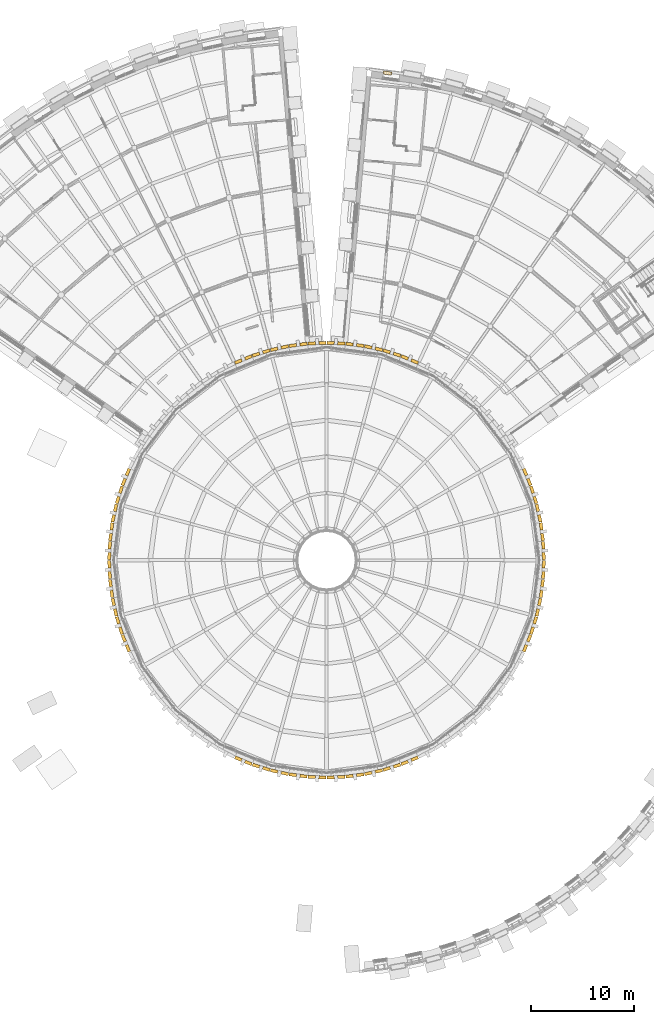
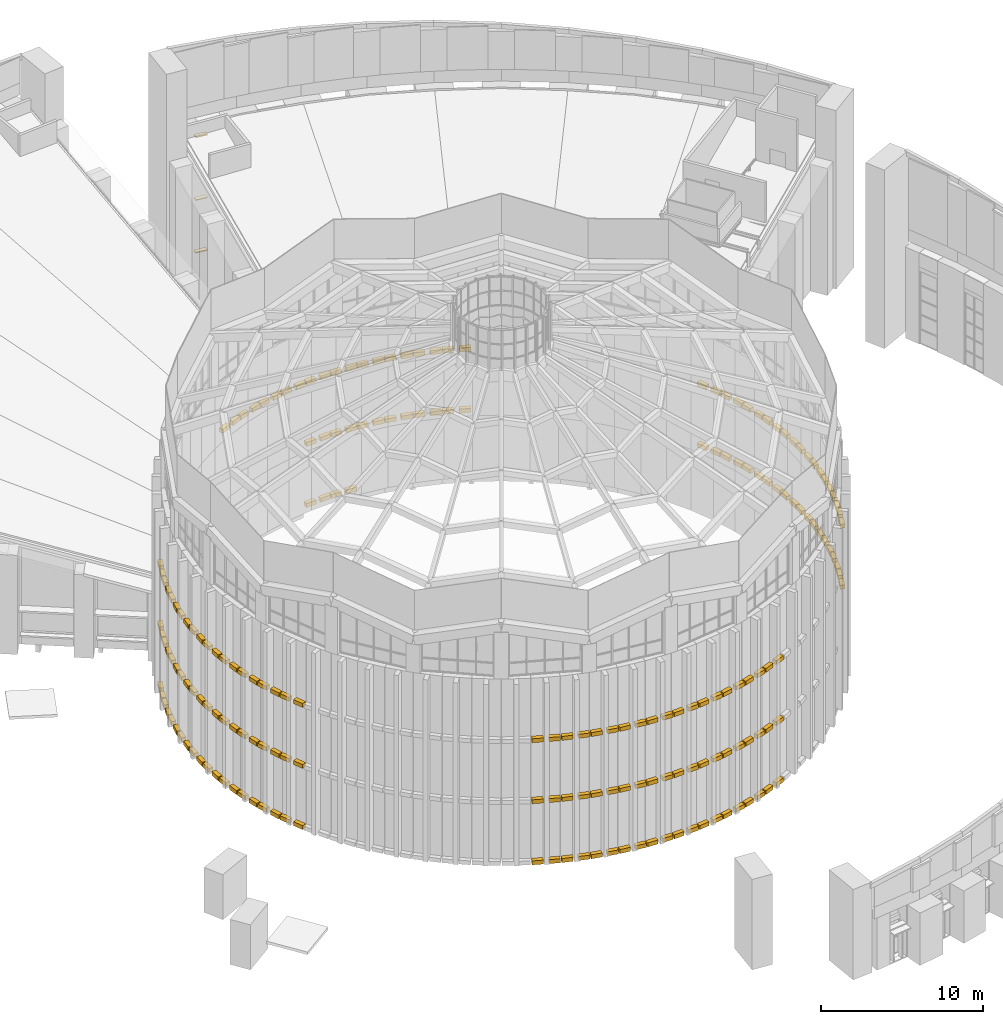
# One storey, part 82 of 82: 199 coverings.
"""IFC4 building model written with IfcOpenShell, lengths in metres."""

from ifc_helpers import new_model, si_unit, direction, frame, origin, origin_2d, place, context, subcontext, project, spatial, rectangle, extrude, material, type_object, element, save


model = new_model("IFC4")

# Units and contexts
model_context = context("Model", 3, precision=1e-05, world=origin(), true_north=direction((0.0, 1.0)))
body_context = subcontext(model_context, "Body", "Model", "MODEL_VIEW")
ifc_project = project(units=[si_unit("LENGTHUNIT", "METRE"), si_unit("AREAUNIT", "SQUARE_METRE"), si_unit("VOLUMEUNIT", "CUBIC_METRE"), si_unit("PLANEANGLEUNIT", "RADIAN"), si_unit("MASSUNIT", "GRAM", prefix="KILO")], contexts=[model_context])

# Site, building, storey
site_placement = place(None, origin())
site = spatial("IfcSite", under=ifc_project, at=site_placement, CompositionType="ELEMENT")
building_placement = place(site_placement, origin())
building = spatial("IfcBuilding", under=site, at=building_placement, Name="Volute Hill Aquarium", CompositionType="ELEMENT")
storey_placement = place(building_placement, frame((0.0, 0.0, 13.800048828125)))
storey = spatial("IfcBuildingStorey", under=building, at=storey_placement, Name="L04", CompositionType="ELEMENT", Elevation=13.800048828125)

# Coverings
ifc_material_1 = material(Name="Precast concrete C40/50", Category="concrete")
covering_type_1 = type_object("IfcCoveringType", Name="Drum string course precast concrete C40/50 715x300", PredefinedType="CLADDING", material=ifc_material_1)
for number, where, z_axis, x_axis, name in (
    (1, (21.13330078125, 0.394775390625, 4.44970703125), (0.0, 0.0, 1.0), (-0.043619387365, 0.999048221582, 0.0), "Drum string course DSC 1.2"),
    (2, (21.087158203125, 1.44873046875, 4.44970703125), (0.0, 0.0, 1.0), (-0.043619387365, 0.999048221582, 0.0), "Drum string course DSC 1.2"),
    (3, (21.13330078125, 0.394775390625, 9.0498046875), (0.0, 0.0, 1.0), (-0.043619387365, 0.999048221582, 0.0), "Drum string course DSC 1.3"),
    (4, (21.087158203125, 1.44873046875, 9.0498046875), (0.0, 0.0, 1.0), (-0.043619387365, 0.999048221582, 0.0), "Drum string course DSC 1.3"),
    (5, (21.018310546875, 2.235107421875, 4.44970703125), (0.0, 0.0, 1.0), (-0.13052619222, 0.991444861374, 0.0), "Drum string course DSC 2.2"),
    (6, (20.880615234375, 3.281005859375, 4.44970703125), (0.0, 0.0, 1.0), (-0.13052619222, 0.991444861374, 0.0), "Drum string course DSC 2.2"),
    (7, (21.018310546875, 2.235107421875, 9.0498046875), (0.0, 0.0, 1.0), (-0.13052619222, 0.991444861374, 0.0), "Drum string course DSC 2.3"),
    (8, (20.880615234375, 3.281005859375, 9.0498046875), (0.0, 0.0, 1.0), (-0.13052619222, 0.991444861374, 0.0), "Drum string course DSC 2.3"),
    (9, (20.74365234375, 4.058349609375, 4.44970703125), (0.0, 0.0, 1.0), (-0.216439613938, 0.97629600712, 0.0), "Drum string course DSC 3.2"),
    (10, (20.51513671875, 5.08837890625, 4.44970703125), (0.0, 0.0, 1.0), (-0.216439613938, 0.97629600712, 0.0), "Drum string course DSC 3.2"),
    (11, (20.74365234375, 4.058349609375, 9.0498046875), (0.0, 0.0, 1.0), (-0.216439613938, 0.97629600712, 0.0), "Drum string course DSC 3.3"),
    (12, (20.51513671875, 5.08837890625, 9.0498046875), (0.0, 0.0, 1.0), (-0.216439613938, 0.97629600712, 0.0), "Drum string course DSC 3.3"),
    (13, (20.310791015625, 5.85107421875, 4.44970703125), (0.0, 0.0, 1.0), (-0.300705799504, 0.953716950748, 0.0), "Drum string course DSC 4.2"),
    (14, (19.99365234375, 6.85693359375, 4.44970703125), (0.0, 0.0, 1.0), (-0.300705799504, 0.953716950748, 0.0), "Drum string course DSC 4.2"),
    (15, (20.310791015625, 5.85107421875, 9.0498046875), (0.0, 0.0, 1.0), (-0.300705799504, 0.953716950748, 0.0), "Drum string course DSC 4.3"),
    (16, (19.99365234375, 6.85693359375, 9.0498046875), (0.0, 0.0, 1.0), (-0.300705799504, 0.953716950748, 0.0), "Drum string course DSC 4.3"),
    (17, (19.7236328125, 7.598876953125, 4.44970703125), (0.0, 0.0, 1.0), (-0.382683432365, 0.923879532511, 0.0), "Drum string course DSC 5.2"),
    (18, (19.320068359375, 8.573486328125, 4.44970703125), (0.0, 0.0, 1.0), (-0.382683432365, 0.923879532511, 0.0), "Drum string course DSC 5.2"),
    (19, (19.7236328125, 7.598876953125, 9.0498046875), (0.0, 0.0, 1.0), (-0.382683432365, 0.923879532511, 0.0), "Drum string course DSC 5.3"),
    (20, (19.320068359375, 8.573486328125, 9.0498046875), (0.0, 0.0, 1.0), (-0.382683432365, 0.923879532511, 0.0), "Drum string course DSC 5.3"),
    (21, (8.573486328125, 19.320068359375, 4.44970703125), (0.0, 0.0, 1.0), (-0.923879532511, 0.382683432365, 0.0), "Drum string course DSC 14.2"),
    (22, (7.598876953125, 19.7236328125, 4.44970703125), (0.0, 0.0, 1.0), (-0.923879532511, 0.382683432365, 0.0), "Drum string course DSC 14.2"),
    (23, (8.573486328125, 19.320068359375, 9.0498046875), (0.0, 0.0, 1.0), (-0.923879532511, 0.382683432365, 0.0), "Drum string course DSC 14.3"),
    (24, (7.598876953125, 19.7236328125, 9.0498046875), (0.0, 0.0, 1.0), (-0.923879532511, 0.382683432365, 0.0), "Drum string course DSC 14.3"),
    (25, (6.85693359375, 19.99365234375, 4.44970703125), (0.0, 0.0, 1.0), (-0.953716950748, 0.300705799504, 0.0), "Drum string course DSC 15.2"),
    (26, (5.85107421875, 20.310791015625, 4.44970703125), (0.0, 0.0, 1.0), (-0.953716950748, 0.300705799504, 0.0), "Drum string course DSC 15.2"),
    (27, (6.85693359375, 19.99365234375, 9.0498046875), (0.0, 0.0, 1.0), (-0.953716950748, 0.300705799504, 0.0), "Drum string course DSC 15.3"),
    (28, (5.85107421875, 20.310791015625, 9.0498046875), (0.0, 0.0, 1.0), (-0.953716950748, 0.300705799504, 0.0), "Drum string course DSC 15.3"),
    (29, (5.08837890625, 20.51513671875, 4.44970703125), (0.0, 0.0, 1.0), (-0.97629600712, 0.216439613938, 0.0), "Drum string course DSC 16.2"),
    (30, (4.058349609375, 20.74365234375, 4.44970703125), (0.0, 0.0, 1.0), (-0.97629600712, 0.216439613938, 0.0), "Drum string course DSC 16.2"),
    (31, (5.08837890625, 20.51513671875, 9.0498046875), (0.0, 0.0, 1.0), (-0.97629600712, 0.216439613938, 0.0), "Drum string course DSC 16.3"),
    (32, (4.058349609375, 20.74365234375, 9.0498046875), (0.0, 0.0, 1.0), (-0.97629600712, 0.216439613938, 0.0), "Drum string course DSC 16.3"),
    (33, (3.281005859375, 20.880615234375, 4.44970703125), (0.0, 0.0, 1.0), (-0.991444861374, 0.13052619222, 0.0), "Drum string course DSC 17.2"),
    (34, (2.235107421875, 21.018310546875, 4.44970703125), (0.0, 0.0, 1.0), (-0.991444861374, 0.13052619222, 0.0), "Drum string course DSC 17.2"),
    (35, (3.281005859375, 20.880615234375, 9.0498046875), (0.0, 0.0, 1.0), (-0.991444861374, 0.13052619222, 0.0), "Drum string course DSC 17.3"),
    (36, (2.235107421875, 21.018310546875, 9.0498046875), (0.0, 0.0, 1.0), (-0.991444861374, 0.13052619222, 0.0), "Drum string course DSC 17.3"),
    (37, (1.44873046875, 21.087158203125, -0.14990234375), (0.0, 0.0, 1.0), (-0.999048221582, 0.043619387365, 0.0), "Drum string course DSC 18.1"),
    (38, (0.394775390625, 21.13330078125, -0.14990234375), (0.0, 0.0, 1.0), (-0.999048221582, 0.043619387365, 0.0), "Drum string course DSC 18.1"),
    (39, (1.44873046875, 21.087158203125, 4.44970703125), (0.0, 0.0, 1.0), (-0.999048221582, 0.043619387365, 0.0), "Drum string course DSC 18.2"),
    (40, (0.394775390625, 21.13330078125, 4.44970703125), (0.0, 0.0, 1.0), (-0.999048221582, 0.043619387365, 0.0), "Drum string course DSC 18.2"),
    (41, (1.44873046875, 21.087158203125, 9.0498046875), (0.0, 0.0, 1.0), (-0.999048221582, 0.043619387365, 0.0), "Drum string course DSC 18.3"),
    (42, (0.394775390625, 21.13330078125, 9.0498046875), (0.0, 0.0, 1.0), (-0.999048221582, 0.043619387365, 0.0), "Drum string course DSC 18.3"),
    (43, (-0.394775390625, 21.13330078125, -0.14990234375), (0.0, 0.0, 1.0), (-0.999048221582, -0.043619387365, 0.0), "Drum string course DSC 19.1"),
    (44, (-1.44873046875, 21.087158203125, -0.14990234375), (0.0, 0.0, 1.0), (-0.999048221582, -0.043619387365, 0.0), "Drum string course DSC 19.1"),
    (45, (-0.394775390625, 21.13330078125, 4.44970703125), (0.0, 0.0, 1.0), (-0.999048221582, -0.043619387365, 0.0), "Drum string course DSC 19.2"),
    (46, (-1.44873046875, 21.087158203125, 4.44970703125), (0.0, 0.0, 1.0), (-0.999048221582, -0.043619387365, 0.0), "Drum string course DSC 19.2"),
    (47, (-0.394775390625, 21.13330078125, 9.0498046875), (0.0, 0.0, 1.0), (-0.999048221582, -0.043619387365, 0.0), "Drum string course DSC 19.3"),
    (48, (-1.44873046875, 21.087158203125, 9.0498046875), (0.0, 0.0, 1.0), (-0.999048221582, -0.043619387365, 0.0), "Drum string course DSC 19.3"),
    (49, (-2.235107421875, 21.018310546875, 9.0498046875), (0.0, 0.0, 1.0), (-0.991444861374, -0.13052619222, 0.0), "Drum string course DSC 20.3"),
    (50, (-3.281005859375, 20.880615234375, 9.0498046875), (0.0, 0.0, 1.0), (-0.991444861374, -0.13052619222, 0.0), "Drum string course DSC 20.3"),
    (51, (-4.058349609375, 20.74365234375, 9.0498046875), (0.0, 0.0, 1.0), (-0.97629600712, -0.216439613938, 0.0), "Drum string course DSC 21.3"),
    (52, (-5.08837890625, 20.51513671875, 9.0498046875), (0.0, 0.0, 1.0), (-0.97629600712, -0.216439613938, 0.0), "Drum string course DSC 21.3"),
    (53, (-5.85107421875, 20.310791015625, 9.0498046875), (0.0, 0.0, 1.0), (-0.953716950748, -0.300705799504, 0.0), "Drum string course DSC 22.3"),
    (54, (-6.85693359375, 19.99365234375, 9.0498046875), (0.0, 0.0, 1.0), (-0.953716950748, -0.300705799504, 0.0), "Drum string course DSC 22.3"),
    (55, (-7.598876953125, 19.7236328125, 9.0498046875), (0.0, 0.0, 1.0), (-0.923879532511, -0.382683432365, 0.0), "Drum string course DSC 23.3"),
    (56, (-8.573486328125, 19.320068359375, 9.0498046875), (0.0, 0.0, 1.0), (-0.923879532511, -0.382683432365, 0.0), "Drum string course DSC 23.3"),
    (57, (-19.320068359375, 8.573486328125, -0.14990234375), (0.0, 0.0, 1.0), (-0.382683432365, -0.923879532511, 0.0), "Drum string course DSC 32.1"),
    (58, (-19.7236328125, 7.598876953125, -0.14990234375), (0.0, 0.0, 1.0), (-0.382683432365, -0.923879532511, 0.0), "Drum string course DSC 32.1"),
    (59, (-19.320068359375, 8.573486328125, 4.44970703125), (0.0, 0.0, 1.0), (-0.382683432365, -0.923879532511, 0.0), "Drum string course DSC 32.2"),
    (60, (-19.7236328125, 7.598876953125, 4.44970703125), (0.0, 0.0, 1.0), (-0.382683432365, -0.923879532511, 0.0), "Drum string course DSC 32.2"),
    (61, (-19.320068359375, 8.573486328125, 9.0498046875), (0.0, 0.0, 1.0), (-0.382683432365, -0.923879532511, 0.0), "Drum string course DSC 32.3"),
    (62, (-19.7236328125, 7.598876953125, 9.0498046875), (0.0, 0.0, 1.0), (-0.382683432365, -0.923879532511, 0.0), "Drum string course DSC 32.3"),
    (63, (-19.99365234375, 6.85693359375, -0.14990234375), (0.0, 0.0, 1.0), (-0.300705799504, -0.953716950748, 0.0), "Drum string course DSC 33.1"),
    (64, (-20.310791015625, 5.85107421875, -0.14990234375), (0.0, 0.0, 1.0), (-0.300705799504, -0.953716950748, 0.0), "Drum string course DSC 33.1"),
    (65, (-19.99365234375, 6.85693359375, 4.44970703125), (0.0, 0.0, 1.0), (-0.300705799504, -0.953716950748, 0.0), "Drum string course DSC 33.2"),
    (66, (-20.310791015625, 5.85107421875, 4.44970703125), (0.0, 0.0, 1.0), (-0.300705799504, -0.953716950748, 0.0), "Drum string course DSC 33.2"),
    (67, (-19.99365234375, 6.85693359375, 9.0498046875), (0.0, 0.0, 1.0), (-0.300705799504, -0.953716950748, 0.0), "Drum string course DSC 33.3"),
    (68, (-20.310791015625, 5.85107421875, 9.0498046875), (0.0, 0.0, 1.0), (-0.300705799504, -0.953716950748, 0.0), "Drum string course DSC 33.3"),
    (69, (-20.51513671875, 5.08837890625, -0.14990234375), (0.0, 0.0, 1.0), (-0.216439613938, -0.97629600712, 0.0), "Drum string course DSC 34.1"),
    (70, (-20.74365234375, 4.058349609375, -0.14990234375), (0.0, 0.0, 1.0), (-0.216439613938, -0.97629600712, 0.0), "Drum string course DSC 34.1"),
    (71, (-20.51513671875, 5.08837890625, 4.44970703125), (0.0, 0.0, 1.0), (-0.216439613938, -0.97629600712, 0.0), "Drum string course DSC 34.2"),
    (72, (-20.74365234375, 4.058349609375, 4.44970703125), (0.0, 0.0, 1.0), (-0.216439613938, -0.97629600712, 0.0), "Drum string course DSC 34.2"),
    (73, (-20.51513671875, 5.08837890625, 9.0498046875), (0.0, 0.0, 1.0), (-0.216439613938, -0.97629600712, 0.0), "Drum string course DSC 34.3"),
    (74, (-20.74365234375, 4.058349609375, 9.0498046875), (0.0, 0.0, 1.0), (-0.216439613938, -0.97629600712, 0.0), "Drum string course DSC 34.3"),
    (75, (-20.880615234375, 3.281005859375, -0.14990234375), (0.0, 0.0, 1.0), (-0.13052619222, -0.991444861374, 0.0), "Drum string course DSC 35.1"),
    (76, (-21.018310546875, 2.235107421875, -0.14990234375), (0.0, 0.0, 1.0), (-0.13052619222, -0.991444861374, 0.0), "Drum string course DSC 35.1"),
    (77, (-20.880615234375, 3.281005859375, 4.44970703125), (0.0, 0.0, 1.0), (-0.13052619222, -0.991444861374, 0.0), "Drum string course DSC 35.2"),
    (78, (-21.018310546875, 2.235107421875, 4.44970703125), (0.0, 0.0, 1.0), (-0.13052619222, -0.991444861374, 0.0), "Drum string course DSC 35.2"),
    (79, (-20.880615234375, 3.281005859375, 9.0498046875), (0.0, 0.0, 1.0), (-0.13052619222, -0.991444861374, 0.0), "Drum string course DSC 35.3"),
    (80, (-21.018310546875, 2.235107421875, 9.0498046875), (0.0, 0.0, 1.0), (-0.13052619222, -0.991444861374, 0.0), "Drum string course DSC 35.3"),
    (81, (-21.087158203125, 1.44873046875, -0.14990234375), (0.0, 0.0, 1.0), (-0.043619387365, -0.999048221582, 0.0), "Drum string course DSC 36.1"),
    (82, (-21.13330078125, 0.394775390625, -0.14990234375), (0.0, 0.0, 1.0), (-0.043619387365, -0.999048221582, 0.0), "Drum string course DSC 36.1"),
    (83, (-21.087158203125, 1.44873046875, 4.44970703125), (0.0, 0.0, 1.0), (-0.043619387365, -0.999048221582, 0.0), "Drum string course DSC 36.2"),
    (84, (-21.13330078125, 0.394775390625, 4.44970703125), (0.0, 0.0, 1.0), (-0.043619387365, -0.999048221582, 0.0), "Drum string course DSC 36.2"),
    (85, (-21.087158203125, 1.44873046875, 9.0498046875), (0.0, 0.0, 1.0), (-0.043619387365, -0.999048221582, 0.0), "Drum string course DSC 36.3"),
    (86, (-21.13330078125, 0.394775390625, 9.0498046875), (0.0, 0.0, 1.0), (-0.043619387365, -0.999048221582, 0.0), "Drum string course DSC 36.3"),
    (87, (-21.13330078125, -0.394775390625, -0.14990234375), (0.0, 0.0, 1.0), (0.043619387365, -0.999048221582, 0.0), "Drum string course DSC 37.1"),
    (88, (-21.087158203125, -1.44873046875, -0.14990234375), (0.0, 0.0, 1.0), (0.043619387365, -0.999048221582, 0.0), "Drum string course DSC 37.1"),
    (89, (-21.13330078125, -0.394775390625, 4.44970703125), (0.0, 0.0, 1.0), (0.043619387365, -0.999048221582, 0.0), "Drum string course DSC 37.2"),
    (90, (-21.087158203125, -1.44873046875, 4.44970703125), (0.0, 0.0, 1.0), (0.043619387365, -0.999048221582, 0.0), "Drum string course DSC 37.2"),
    (91, (-21.13330078125, -0.394775390625, 9.0498046875), (0.0, 0.0, 1.0), (0.043619387365, -0.999048221582, 0.0), "Drum string course DSC 37.3"),
    (92, (-21.087158203125, -1.44873046875, 9.0498046875), (0.0, 0.0, 1.0), (0.043619387365, -0.999048221582, 0.0), "Drum string course DSC 37.3"),
    (93, (-21.018310546875, -2.235107421875, -0.14990234375), (0.0, 0.0, 1.0), (0.13052619222, -0.991444861374, 0.0), "Drum string course DSC 38.1"),
    (94, (-20.880615234375, -3.281005859375, -0.14990234375), (0.0, 0.0, 1.0), (0.13052619222, -0.991444861374, 0.0), "Drum string course DSC 38.1"),
    (95, (-21.018310546875, -2.235107421875, 4.44970703125), (0.0, 0.0, 1.0), (0.13052619222, -0.991444861374, 0.0), "Drum string course DSC 38.2"),
    (96, (-20.880615234375, -3.281005859375, 4.44970703125), (0.0, 0.0, 1.0), (0.13052619222, -0.991444861374, 0.0), "Drum string course DSC 38.2"),
    (97, (-21.018310546875, -2.235107421875, 9.0498046875), (0.0, 0.0, 1.0), (0.13052619222, -0.991444861374, 0.0), "Drum string course DSC 38.3"),
    (98, (-20.880615234375, -3.281005859375, 9.0498046875), (0.0, 0.0, 1.0), (0.13052619222, -0.991444861374, 0.0), "Drum string course DSC 38.3"),
    (99, (-20.74365234375, -4.058349609375, -0.14990234375), (0.0, 0.0, 1.0), (0.216439613938, -0.97629600712, 0.0), "Drum string course DSC 39.1"),
    (100, (-20.51513671875, -5.08837890625, -0.14990234375), (0.0, 0.0, 1.0), (0.216439613938, -0.97629600712, 0.0), "Drum string course DSC 39.1"),
    (101, (-20.74365234375, -4.058349609375, 4.44970703125), (0.0, 0.0, 1.0), (0.216439613938, -0.97629600712, 0.0), "Drum string course DSC 39.2"),
    (102, (-20.51513671875, -5.08837890625, 4.44970703125), (0.0, 0.0, 1.0), (0.216439613938, -0.97629600712, 0.0), "Drum string course DSC 39.2"),
    (103, (-20.74365234375, -4.058349609375, 9.0498046875), (0.0, 0.0, 1.0), (0.216439613938, -0.97629600712, 0.0), "Drum string course DSC 39.3"),
    (104, (-20.51513671875, -5.08837890625, 9.0498046875), (0.0, 0.0, 1.0), (0.216439613938, -0.97629600712, 0.0), "Drum string course DSC 39.3"),
    (105, (-20.310791015625, -5.85107421875, -0.14990234375), (0.0, 0.0, 1.0), (0.300705799504, -0.953716950748, 0.0), "Drum string course DSC 40.1"),
    (106, (-19.99365234375, -6.85693359375, -0.14990234375), (0.0, 0.0, 1.0), (0.300705799504, -0.953716950748, 0.0), "Drum string course DSC 40.1"),
    (107, (-20.310791015625, -5.85107421875, 4.44970703125), (0.0, 0.0, 1.0), (0.300705799504, -0.953716950748, 0.0), "Drum string course DSC 40.2"),
    (108, (-19.99365234375, -6.85693359375, 4.44970703125), (0.0, 0.0, 1.0), (0.300705799504, -0.953716950748, 0.0), "Drum string course DSC 40.2"),
    (109, (-20.310791015625, -5.85107421875, 9.0498046875), (0.0, 0.0, 1.0), (0.300705799504, -0.953716950748, 0.0), "Drum string course DSC 40.3"),
    (110, (-19.99365234375, -6.85693359375, 9.0498046875), (0.0, 0.0, 1.0), (0.300705799504, -0.953716950748, 0.0), "Drum string course DSC 40.3"),
    (111, (-19.7236328125, -7.598876953125, -0.14990234375), (0.0, 0.0, 1.0), (0.382683432365, -0.923879532511, 0.0), "Drum string course DSC 41.1"),
    (112, (-19.320068359375, -8.573486328125, -0.14990234375), (0.0, 0.0, 1.0), (0.382683432365, -0.923879532511, 0.0), "Drum string course DSC 41.1"),
    (113, (-19.7236328125, -7.598876953125, 4.44970703125), (0.0, 0.0, 1.0), (0.382683432365, -0.923879532511, 0.0), "Drum string course DSC 41.2"),
    (114, (-19.320068359375, -8.573486328125, 4.44970703125), (0.0, 0.0, 1.0), (0.382683432365, -0.923879532511, 0.0), "Drum string course DSC 41.2"),
    (115, (-19.7236328125, -7.598876953125, 9.0498046875), (0.0, 0.0, 1.0), (0.382683432365, -0.923879532511, 0.0), "Drum string course DSC 41.3"),
    (116, (-19.320068359375, -8.573486328125, 9.0498046875), (0.0, 0.0, 1.0), (0.382683432365, -0.923879532511, 0.0), "Drum string course DSC 41.3"),
    (117, (-8.573486328125, -19.320068359375, -0.14990234375), (0.0, 0.0, 1.0), (0.923879532511, -0.382683432365, 0.0), "Drum string course DSC 50.1"),
    (118, (-7.598876953125, -19.7236328125, -0.14990234375), (0.0, 0.0, 1.0), (0.923879532511, -0.382683432365, 0.0), "Drum string course DSC 50.1"),
    (119, (-8.573486328125, -19.320068359375, 4.44970703125), (0.0, 0.0, 1.0), (0.923879532511, -0.382683432365, 0.0), "Drum string course DSC 50.2"),
    (120, (-7.598876953125, -19.7236328125, 4.44970703125), (0.0, 0.0, 1.0), (0.923879532511, -0.382683432365, 0.0), "Drum string course DSC 50.2"),
    (121, (-8.573486328125, -19.320068359375, 9.0498046875), (0.0, 0.0, 1.0), (0.923879532511, -0.382683432365, 0.0), "Drum string course DSC 50.3"),
    (122, (-7.598876953125, -19.7236328125, 9.0498046875), (0.0, 0.0, 1.0), (0.923879532511, -0.382683432365, 0.0), "Drum string course DSC 50.3"),
    (123, (-6.85693359375, -19.99365234375, -0.14990234375), (0.0, 0.0, 1.0), (0.953716950748, -0.300705799504, 0.0), "Drum string course DSC 51.1"),
    (124, (-5.85107421875, -20.310791015625, -0.14990234375), (0.0, 0.0, 1.0), (0.953716950748, -0.300705799504, 0.0), "Drum string course DSC 51.1"),
    (125, (-6.85693359375, -19.99365234375, 4.44970703125), (0.0, 0.0, 1.0), (0.953716950748, -0.300705799504, 0.0), "Drum string course DSC 51.2"),
    (126, (-5.85107421875, -20.310791015625, 4.44970703125), (0.0, 0.0, 1.0), (0.953716950748, -0.300705799504, 0.0), "Drum string course DSC 51.2"),
    (127, (-6.85693359375, -19.99365234375, 9.0498046875), (0.0, 0.0, 1.0), (0.953716950748, -0.300705799504, 0.0), "Drum string course DSC 51.3"),
    (128, (-5.85107421875, -20.310791015625, 9.0498046875), (0.0, 0.0, 1.0), (0.953716950748, -0.300705799504, 0.0), "Drum string course DSC 51.3"),
    (129, (-5.08837890625, -20.51513671875, -0.14990234375), (0.0, 0.0, 1.0), (0.97629600712, -0.216439613938, 0.0), "Drum string course DSC 52.1"),
    (130, (-4.058349609375, -20.74365234375, -0.14990234375), (0.0, 0.0, 1.0), (0.97629600712, -0.216439613938, 0.0), "Drum string course DSC 52.1"),
    (131, (-5.08837890625, -20.51513671875, 4.44970703125), (0.0, 0.0, 1.0), (0.97629600712, -0.216439613938, 0.0), "Drum string course DSC 52.2"),
    (132, (-4.058349609375, -20.74365234375, 4.44970703125), (0.0, 0.0, 1.0), (0.97629600712, -0.216439613938, 0.0), "Drum string course DSC 52.2"),
    (133, (-5.08837890625, -20.51513671875, 9.0498046875), (0.0, 0.0, 1.0), (0.97629600712, -0.216439613938, 0.0), "Drum string course DSC 52.3"),
    (134, (-4.058349609375, -20.74365234375, 9.0498046875), (0.0, 0.0, 1.0), (0.97629600712, -0.216439613938, 0.0), "Drum string course DSC 52.3"),
    (135, (-3.281005859375, -20.880615234375, -0.14990234375), (0.0, 0.0, 1.0), (0.991444861374, -0.13052619222, 0.0), "Drum string course DSC 53.1"),
    (136, (-2.235107421875, -21.018310546875, -0.14990234375), (0.0, 0.0, 1.0), (0.991444861374, -0.13052619222, 0.0), "Drum string course DSC 53.1"),
    (137, (-3.281005859375, -20.880615234375, 4.44970703125), (0.0, 0.0, 1.0), (0.991444861374, -0.13052619222, 0.0), "Drum string course DSC 53.2"),
    (138, (-2.235107421875, -21.018310546875, 4.44970703125), (0.0, 0.0, 1.0), (0.991444861374, -0.13052619222, 0.0), "Drum string course DSC 53.2"),
    (139, (-3.281005859375, -20.880615234375, 9.0498046875), (0.0, 0.0, 1.0), (0.991444861374, -0.13052619222, 0.0), "Drum string course DSC 53.3"),
    (140, (-2.235107421875, -21.018310546875, 9.0498046875), (0.0, 0.0, 1.0), (0.991444861374, -0.13052619222, 0.0), "Drum string course DSC 53.3"),
    (141, (-1.44873046875, -21.087158203125, -0.14990234375), (0.0, 0.0, 1.0), (0.999048221582, -0.043619387365, 0.0), "Drum string course DSC 54.1"),
    (142, (-0.394775390625, -21.13330078125, -0.14990234375), (0.0, 0.0, 1.0), (0.999048221582, -0.043619387365, 0.0), "Drum string course DSC 54.1"),
    (143, (-1.44873046875, -21.087158203125, 4.44970703125), (0.0, 0.0, 1.0), (0.999048221582, -0.043619387365, 0.0), "Drum string course DSC 54.2"),
    (144, (-0.394775390625, -21.13330078125, 4.44970703125), (0.0, 0.0, 1.0), (0.999048221582, -0.043619387365, 0.0), "Drum string course DSC 54.2"),
    (145, (-1.44873046875, -21.087158203125, 9.0498046875), (0.0, 0.0, 1.0), (0.999048221582, -0.043619387365, 0.0), "Drum string course DSC 54.3"),
    (146, (-0.394775390625, -21.13330078125, 9.0498046875), (0.0, 0.0, 1.0), (0.999048221582, -0.043619387365, 0.0), "Drum string course DSC 54.3"),
    (147, (0.394775390625, -21.13330078125, -0.14990234375), (0.0, 0.0, 1.0), (0.999048221582, 0.043619387365, 0.0), "Drum string course DSC 55.1"),
    (148, (1.44873046875, -21.087158203125, -0.14990234375), (0.0, 0.0, 1.0), (0.999048221582, 0.043619387365, 0.0), "Drum string course DSC 55.1"),
    (149, (0.394775390625, -21.13330078125, 4.44970703125), (0.0, 0.0, 1.0), (0.999048221582, 0.043619387365, 0.0), "Drum string course DSC 55.2"),
    (150, (1.44873046875, -21.087158203125, 4.44970703125), (0.0, 0.0, 1.0), (0.999048221582, 0.043619387365, 0.0), "Drum string course DSC 55.2"),
    (151, (0.394775390625, -21.13330078125, 9.0498046875), (0.0, 0.0, 1.0), (0.999048221582, 0.043619387365, 0.0), "Drum string course DSC 55.3"),
    (152, (1.44873046875, -21.087158203125, 9.0498046875), (0.0, 0.0, 1.0), (0.999048221582, 0.043619387365, 0.0), "Drum string course DSC 55.3"),
    (153, (2.235107421875, -21.018310546875, -0.14990234375), (0.0, 0.0, 1.0), (0.991444861374, 0.13052619222, 0.0), "Drum string course DSC 56.1"),
    (154, (3.281005859375, -20.880615234375, -0.14990234375), (0.0, 0.0, 1.0), (0.991444861374, 0.13052619222, 0.0), "Drum string course DSC 56.1"),
    (155, (2.235107421875, -21.018310546875, 4.44970703125), (0.0, 0.0, 1.0), (0.991444861374, 0.13052619222, 0.0), "Drum string course DSC 56.2"),
    (156, (3.281005859375, -20.880615234375, 4.44970703125), (0.0, 0.0, 1.0), (0.991444861374, 0.13052619222, 0.0), "Drum string course DSC 56.2"),
    (157, (2.235107421875, -21.018310546875, 9.0498046875), (0.0, 0.0, 1.0), (0.991444861374, 0.13052619222, 0.0), "Drum string course DSC 56.3"),
    (158, (3.281005859375, -20.880615234375, 9.0498046875), (0.0, 0.0, 1.0), (0.991444861374, 0.13052619222, 0.0), "Drum string course DSC 56.3"),
    (159, (4.058349609375, -20.74365234375, -0.14990234375), (0.0, 0.0, 1.0), (0.97629600712, 0.216439613938, 0.0), "Drum string course DSC 57.1"),
    (160, (5.08837890625, -20.51513671875, -0.14990234375), (0.0, 0.0, 1.0), (0.97629600712, 0.216439613938, 0.0), "Drum string course DSC 57.1"),
    (161, (4.058349609375, -20.74365234375, 4.44970703125), (0.0, 0.0, 1.0), (0.97629600712, 0.216439613938, 0.0), "Drum string course DSC 57.2"),
    (162, (5.08837890625, -20.51513671875, 4.44970703125), (0.0, 0.0, 1.0), (0.97629600712, 0.216439613938, 0.0), "Drum string course DSC 57.2"),
    (163, (4.058349609375, -20.74365234375, 9.0498046875), (0.0, 0.0, 1.0), (0.97629600712, 0.216439613938, 0.0), "Drum string course DSC 57.3"),
    (164, (5.08837890625, -20.51513671875, 9.0498046875), (0.0, 0.0, 1.0), (0.97629600712, 0.216439613938, 0.0), "Drum string course DSC 57.3"),
    (165, (5.85107421875, -20.310791015625, -0.14990234375), (0.0, 0.0, 1.0), (0.953716950748, 0.300705799504, 0.0), "Drum string course DSC 58.1"),
    (166, (6.85693359375, -19.99365234375, -0.14990234375), (0.0, 0.0, 1.0), (0.953716950748, 0.300705799504, 0.0), "Drum string course DSC 58.1"),
    (167, (5.85107421875, -20.310791015625, 4.44970703125), (0.0, 0.0, 1.0), (0.953716950748, 0.300705799504, 0.0), "Drum string course DSC 58.2"),
    (168, (6.85693359375, -19.99365234375, 4.44970703125), (0.0, 0.0, 1.0), (0.953716950748, 0.300705799504, 0.0), "Drum string course DSC 58.2"),
    (169, (5.85107421875, -20.310791015625, 9.0498046875), (0.0, 0.0, 1.0), (0.953716950748, 0.300705799504, 0.0), "Drum string course DSC 58.3"),
    (170, (6.85693359375, -19.99365234375, 9.0498046875), (0.0, 0.0, 1.0), (0.953716950748, 0.300705799504, 0.0), "Drum string course DSC 58.3"),
    (171, (7.598876953125, -19.7236328125, -0.14990234375), (0.0, 0.0, 1.0), (0.923879532511, 0.382683432365, 0.0), "Drum string course DSC 59.1"),
    (172, (8.573486328125, -19.320068359375, -0.14990234375), (0.0, 0.0, 1.0), (0.923879532511, 0.382683432365, 0.0), "Drum string course DSC 59.1"),
    (173, (7.598876953125, -19.7236328125, 4.44970703125), (0.0, 0.0, 1.0), (0.923879532511, 0.382683432365, 0.0), "Drum string course DSC 59.2"),
    (174, (8.573486328125, -19.320068359375, 4.44970703125), (0.0, 0.0, 1.0), (0.923879532511, 0.382683432365, 0.0), "Drum string course DSC 59.2"),
    (175, (7.598876953125, -19.7236328125, 9.0498046875), (0.0, 0.0, 1.0), (0.923879532511, 0.382683432365, 0.0), "Drum string course DSC 59.3"),
    (176, (8.573486328125, -19.320068359375, 9.0498046875), (0.0, 0.0, 1.0), (0.923879532511, 0.382683432365, 0.0), "Drum string course DSC 59.3"),
    (177, (19.320068359375, -8.573486328125, 4.44970703125), (0.0, 0.0, 1.0), (0.382683432365, 0.923879532511, 0.0), "Drum string course DSC 68.2"),
    (178, (19.7236328125, -7.598876953125, 4.44970703125), (0.0, 0.0, 1.0), (0.382683432365, 0.923879532511, 0.0), "Drum string course DSC 68.2"),
    (179, (19.320068359375, -8.573486328125, 9.0498046875), (0.0, 0.0, 1.0), (0.382683432365, 0.923879532511, 0.0), "Drum string course DSC 68.3"),
    (180, (19.7236328125, -7.598876953125, 9.0498046875), (0.0, 0.0, 1.0), (0.382683432365, 0.923879532511, 0.0), "Drum string course DSC 68.3"),
    (181, (19.99365234375, -6.85693359375, 4.44970703125), (0.0, 0.0, 1.0), (0.300705799504, 0.953716950748, 0.0), "Drum string course DSC 69.2"),
    (182, (20.310791015625, -5.85107421875, 4.44970703125), (0.0, 0.0, 1.0), (0.300705799504, 0.953716950748, 0.0), "Drum string course DSC 69.2"),
    (183, (19.99365234375, -6.85693359375, 9.0498046875), (0.0, 0.0, 1.0), (0.300705799504, 0.953716950748, 0.0), "Drum string course DSC 69.3"),
    (184, (20.310791015625, -5.85107421875, 9.0498046875), (0.0, 0.0, 1.0), (0.300705799504, 0.953716950748, 0.0), "Drum string course DSC 69.3"),
    (185, (20.51513671875, -5.08837890625, 4.44970703125), (0.0, 0.0, 1.0), (0.216439613938, 0.97629600712, 0.0), "Drum string course DSC 70.2"),
    (186, (20.74365234375, -4.058349609375, 4.44970703125), (0.0, 0.0, 1.0), (0.216439613938, 0.97629600712, 0.0), "Drum string course DSC 70.2"),
    (187, (20.51513671875, -5.08837890625, 9.0498046875), (0.0, 0.0, 1.0), (0.216439613938, 0.97629600712, 0.0), "Drum string course DSC 70.3"),
    (188, (20.74365234375, -4.058349609375, 9.0498046875), (0.0, 0.0, 1.0), (0.216439613938, 0.97629600712, 0.0), "Drum string course DSC 70.3"),
    (189, (20.880615234375, -3.281005859375, 4.44970703125), (0.0, 0.0, 1.0), (0.13052619222, 0.991444861374, 0.0), "Drum string course DSC 71.2"),
    (190, (21.018310546875, -2.235107421875, 4.44970703125), (0.0, 0.0, 1.0), (0.13052619222, 0.991444861374, 0.0), "Drum string course DSC 71.2"),
    (191, (20.880615234375, -3.281005859375, 9.0498046875), (0.0, 0.0, 1.0), (0.13052619222, 0.991444861374, 0.0), "Drum string course DSC 71.3"),
    (192, (21.018310546875, -2.235107421875, 9.0498046875), (0.0, 0.0, 1.0), (0.13052619222, 0.991444861374, 0.0), "Drum string course DSC 71.3"),
    (193, (21.087158203125, -1.44873046875, 4.44970703125), (0.0, 0.0, 1.0), (0.043619387365, 0.999048221582, 0.0), "Drum string course DSC 72.2"),
    (194, (21.13330078125, -0.394775390625, 4.44970703125), (0.0, 0.0, 1.0), (0.043619387365, 0.999048221582, 0.0), "Drum string course DSC 72.2"),
    (195, (21.087158203125, -1.44873046875, 9.0498046875), (0.0, 0.0, 1.0), (0.043619387365, 0.999048221582, 0.0), "Drum string course DSC 72.3"),
    (196, (21.13330078125, -0.394775390625, 9.0498046875), (0.0, 0.0, 1.0), (0.043619387365, 0.999048221582, 0.0), "Drum string course DSC 72.3"),
):
    element("IfcCovering", number, at=place(storey_placement, frame(where, z_axis=z_axis, x_axis=x_axis)), inside=storey, type_object=covering_type_1, Name=name, PredefinedType="CLADDING", context=body_context, shape_type="SweptSolid", body=[
        extrude(rectangle(XDim=0.71484375, YDim=0.300048828125, at=origin_2d()), origin(), (0.0, 0.0, 1.0), 0.300048828125),
    ])
ifc_material_2 = material(Name="Aluminium", Category="aluminium")
covering_type_2 = type_object("IfcCoveringType", Name="Plant louvre slat rail 300x80", PredefinedType="CLADDING", material=ifc_material_2)
for number, where, z_axis, x_axis, name in (
    (197, (5.939453125, 47.384765625, 0.449951171875), (0.0, 0.0, 1.0), (-0.991442570657, 0.130543590761, 0.0), "Plant louvre slat rail S5 L04 10.1"),
    (198, (5.939453125, 47.384765625, 4.409912109375), (0.0, 0.0, 1.0), (-0.991442570657, 0.130543590761, 0.0), "Plant louvre slat rail S5 L04 10.2"),
    (199, (5.939453125, 47.384765625, 9.148193359375), (0.0, 0.0, 1.0), (-0.991442570657, 0.130543590761, 0.0), "Plant louvre slat rail S5 L04 10.3"),
):
    element("IfcCovering", number, at=place(storey_placement, frame(where, z_axis=z_axis, x_axis=x_axis)), inside=storey, type_object=covering_type_2, Name=name, PredefinedType="CLADDING", context=body_context, shape_type="SweptSolid", body=[
        extrude(rectangle(XDim=0.792724609375, YDim=0.300048828125, at=origin_2d()), origin(), (0.0, 0.0, 1.0), 0.080078125),
    ])

save(model, "model.ifc")
